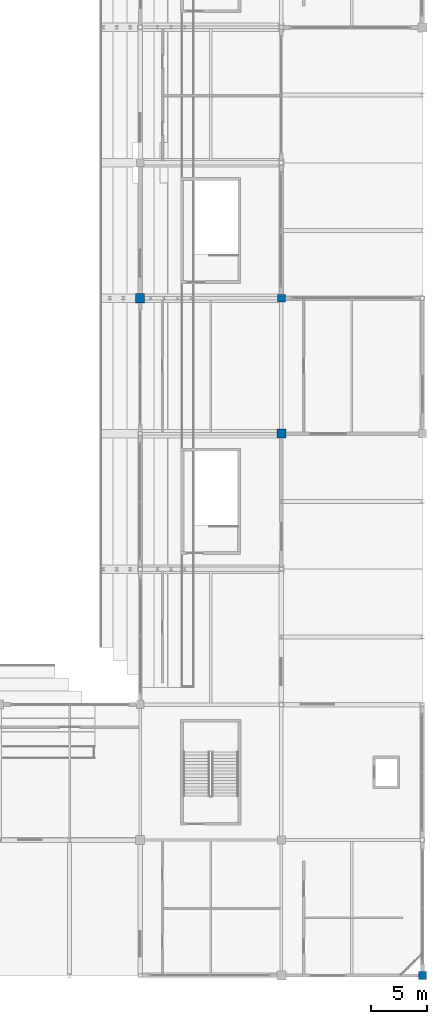
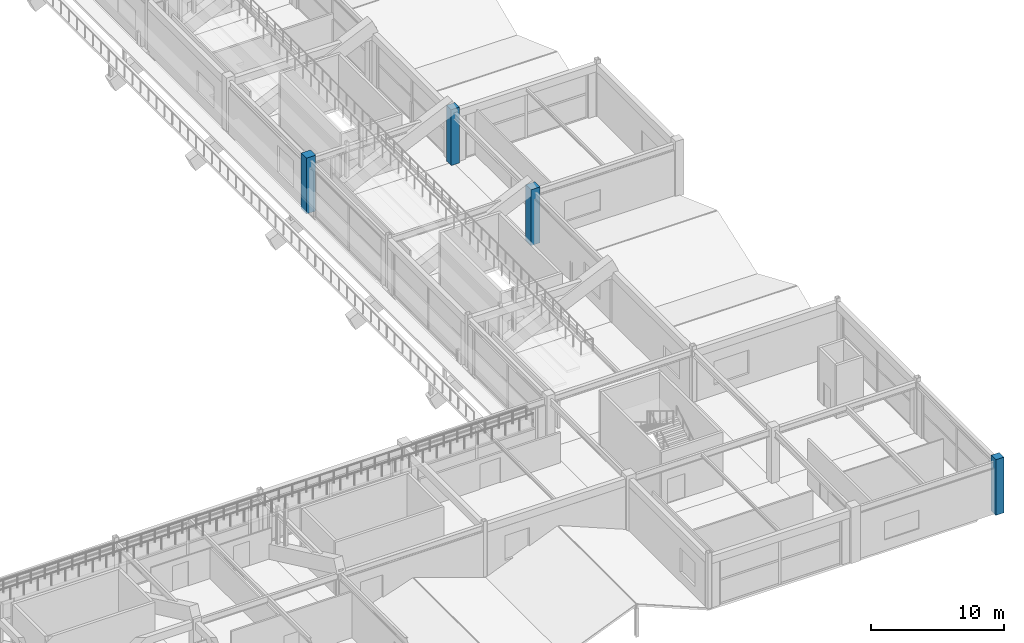
# One storey, part 13 of 128: 4 columns.
"""IFC4 building model written with IfcOpenShell, lengths in metres."""

import ifcopenshell
import ifcopenshell.guid

model = None  # the IFC model being written
_history = None  # IfcOwnerHistory: only IFC2X3 demands one
_inside = {}  # id of a spatial element -> (the spatial element, [elements in it])
_under = {}  # id of a project, library or spatial element -> (it, [spatial elements below it])
_declared = {}  # id of a project -> (the project, [libraries it declares])
_typed = {}  # id of a type object -> (the type object, [elements of that type])
_made_of = {}  # id of a material, layer set ... -> (it, [elements and type objects made of it])


def new_model(schema):
    """Start an empty IFC model of exactly this schema.

    Asked for "IFC4X3", IfcOpenShell would pick the latest addendum, in which some entities
    have other attributes; the version numbers below select the first issue.
    IFC2X3 requires an IfcOwnerHistory on every rooted entity: one is made here for all.
    """
    global model, _history
    if schema == "IFC4X3":
        model = ifcopenshell.file(schema_version=(4, 3, 0, 0))
    else:
        model = ifcopenshell.file(schema=schema)
    _inside.clear()
    _under.clear()
    _declared.clear()
    _typed.clear()
    _made_of.clear()
    _history = None
    if model.schema == "IFC2X3":
        org = make("IfcOrganization", Name="unknown")
        user = make(
            "IfcPersonAndOrganization",
            ThePerson=make("IfcPerson", FamilyName="unknown"),
            TheOrganization=org,
        )
        app = make(
            "IfcApplication",
            ApplicationDeveloper=org,
            Version="unknown",
            ApplicationFullName="unknown",
            ApplicationIdentifier="unknown",
        )
        _history = make(
            "IfcOwnerHistory",
            OwningUser=user,
            OwningApplication=app,
            ChangeAction="ADDED",
            CreationDate=0,
        )
    return model


def make(cls, **values):
    """One entity of the class cls with the attributes given. An attribute that is None is left unset."""
    return model.create_entity(
        cls, **{name: value for name, value in values.items() if value is not None}
    )


def rooted(cls, **values):
    """An entity with a GlobalId (a new one), such as an element, a storey or a relation."""
    return make(cls, GlobalId=ifcopenshell.guid.new(), OwnerHistory=_history, **values)


def si_unit(unit_type, name, prefix=None):
    """IfcSIUnit, for example si_unit("LENGTHUNIT", "METRE", prefix="MILLI")."""
    return make("IfcSIUnit", UnitType=unit_type, Prefix=prefix, Name=name)


def assignment(units):
    """IfcUnitAssignment: the units of a project."""
    return None if units is None else make("IfcUnitAssignment", Units=units)


def point(xyz):
    """IfcCartesianPoint."""
    return None if xyz is None else make("IfcCartesianPoint", Coordinates=xyz)


def direction(xyz):
    """IfcDirection."""
    return None if xyz is None else make("IfcDirection", DirectionRatios=xyz)


def frame(location, z_axis=None, x_axis=None):
    """IfcAxis2Placement3D, a coordinate frame: its origin and axes. An axis left out is left unset."""
    return make(
        "IfcAxis2Placement3D",
        Location=point(location),
        Axis=direction(z_axis),
        RefDirection=direction(x_axis),
    )


def frame_2d(location, x_axis=None):
    """IfcAxis2Placement2D, a coordinate frame in the plane: its origin and x axis."""
    return make(
        "IfcAxis2Placement2D", Location=point(location), RefDirection=direction(x_axis)
    )


def origin():
    """The frame at (0, 0, 0) with its axes left unset."""
    return frame((0.0, 0.0, 0.0))


def origin_2d():
    """The frame at (0, 0) in the plane with its x axis left unset."""
    return frame_2d((0.0, 0.0))


def place(relative_to, where):
    """IfcLocalPlacement: puts the frame where relative to a parent placement (None: the world)."""
    return make(
        "IfcLocalPlacement", PlacementRelTo=relative_to, RelativePlacement=where
    )


def context(
    kind, dimensions, precision=None, world=None, true_north=None, identifier=None
):
    """IfcGeometricRepresentationContext, for example the 3D "Model" context."""
    return make(
        "IfcGeometricRepresentationContext",
        ContextIdentifier=identifier,
        ContextType=kind,
        CoordinateSpaceDimension=dimensions,
        Precision=precision,
        WorldCoordinateSystem=world,
        TrueNorth=true_north,
    )


def subcontext(parent, identifier, kind, view, scale=None):
    """IfcGeometricRepresentationSubContext, for example "Body" below "Model"."""
    return make(
        "IfcGeometricRepresentationSubContext",
        ContextIdentifier=identifier,
        ContextType=kind,
        ParentContext=parent,
        TargetScale=scale,
        TargetView=view,
    )


def project(units=None, contexts=None):
    """IfcProject with its units and contexts."""
    return rooted(
        "IfcProject",
        Name="project",
        RepresentationContexts=contexts,
        UnitsInContext=assignment(units),
    )


def spatial(cls, under=None, at=None, **own):
    """A site, building, storey or space (cls), placed at a placement, below another one or the project."""
    s = rooted(cls, ObjectPlacement=at, **own)
    if under is not None:
        _under.setdefault(under.id(), (under, []))[1].append(s)
    return s


def profile(cls, at=None, kind="AREA", **sizes):
    """A parametric profile (cls). Its sizes go by their IFC names, for example OverallWidth=200.0."""
    return make(cls, ProfileType=kind, Position=at, **sizes)


def rectangle(**sizes):
    """IfcRectangleProfileDef."""
    return profile("IfcRectangleProfileDef", **sizes)


def extrude(swept, where, along, depth):
    """IfcExtrudedAreaSolid: the profile swept, set in the frame where, extruded along a direction by depth."""
    return make(
        "IfcExtrudedAreaSolid",
        SweptArea=swept,
        Position=where,
        ExtrudedDirection=direction(along),
        Depth=depth,
    )


def shape(context_of_items, identifier, shape_type, items):
    """IfcShapeRepresentation: the items that make up one representation, for example the "Body"."""
    return make(
        "IfcShapeRepresentation",
        ContextOfItems=context_of_items,
        RepresentationIdentifier=identifier,
        RepresentationType=shape_type,
        Items=items,
    )


def material(Name=None, Category=None):
    """IfcMaterial."""
    return make("IfcMaterial", Name=Name, Category=Category)


def material_profile(
    of_material, cross_section, Name=None, Category=None, Priority=None
):
    """IfcMaterialProfile: a cross section and its material."""
    return make(
        "IfcMaterialProfile",
        Name=Name,
        Material=of_material,
        Profile=cross_section,
        Priority=Priority,
        Category=Category,
    )


def profile_set(profiles, Name=None, composite=None):
    """IfcMaterialProfileSet."""
    return make(
        "IfcMaterialProfileSet",
        Name=Name,
        MaterialProfiles=profiles,
        CompositeProfile=composite,
    )


def made_of(thing, what):
    """Note that an element or type object is made of a material, layer set ...; save() writes the relation."""
    if what is not None:
        _made_of.setdefault(what.id(), (what, []))[1].append(thing)
    return thing


def type_object(cls, material=None, **own):
    """A type object (cls), such as IfcWallType, which elements share."""
    return made_of(rooted(cls, **own), material)


def element(
    cls,
    number,
    at=None,
    inside=None,
    cuts=None,
    type_object=None,
    material=None,
    context=None,
    identifier="Body",
    shape_type=None,
    held_by="IfcProductDefinitionShape",
    body=None,
    shapes=None,
    **own,
):
    """One element of the class cls, such as IfcWall. Its Tag is "e" and its number.

    at: its placement. inside: the storey or other place that contains it. cuts: it is an
    opening in that element (IfcRelVoidsElement). A single representation is given by context,
    identifier, shape_type and body (its items); several are given by shapes. held_by: the class
    of the entity that holds the representations. save() writes the other relations.
    """
    e = rooted(cls, Tag="e%d" % number, ObjectPlacement=at, **own)
    if body is not None:
        shapes = [shape(context, identifier, shape_type, body)]
    if shapes is not None:
        e.Representation = make(held_by, Representations=shapes)
    if inside is not None:
        _inside.setdefault(inside.id(), (inside, []))[1].append(e)
    if cuts is not None:
        rooted(
            "IfcRelVoidsElement", RelatingBuildingElement=cuts, RelatedOpeningElement=e
        )
    if type_object is not None:
        _typed.setdefault(type_object.id(), (type_object, []))[1].append(e)
    return made_of(e, material)


def aggregate(whole, parts):
    """IfcRelAggregates: a whole, such as a stair, and the parts it consists of."""
    return rooted("IfcRelAggregates", RelatingObject=whole, RelatedObjects=parts)


def save(model, path):
    """Write the relations noted so far, then the file.

    IfcRelAggregates (storeys below a building ...), IfcRelContainedInSpatialStructure (elements
    in a storey), IfcRelDefinesByType, IfcRelAssociatesMaterial and IfcRelDeclares: one each for
    every whole, place, type object, material and project.
    """
    for whole, parts in _under.values():
        aggregate(whole, parts)
    for where, things in _inside.values():
        rooted(
            "IfcRelContainedInSpatialStructure",
            RelatedElements=things,
            RelatingStructure=where,
        )
    for kind, things in _typed.values():
        rooted("IfcRelDefinesByType", RelatedObjects=things, RelatingType=kind)
    for what, things in _made_of.values():
        rooted("IfcRelAssociatesMaterial", RelatedObjects=things, RelatingMaterial=what)
    for by, libraries in _declared.values():
        rooted("IfcRelDeclares", RelatingContext=by, RelatedDefinitions=libraries)
    model.write(path)


model = new_model("IFC4")

# Units and contexts
model_context = context("Model", 3, precision=1e-05, world=origin(), true_north=direction((0.0, 1.0)))
body_context = subcontext(model_context, "Body", "Model", "MODEL_VIEW")
ifc_project = project(units=[si_unit("LENGTHUNIT", "METRE"), si_unit("AREAUNIT", "SQUARE_METRE"), si_unit("VOLUMEUNIT", "CUBIC_METRE"), si_unit("PLANEANGLEUNIT", "RADIAN"), si_unit("MASSUNIT", "GRAM", prefix="KILO")], contexts=[model_context])

# Site, building, storey
site_placement = place(None, origin())
site = spatial("IfcSite", under=ifc_project, at=site_placement, CompositionType="ELEMENT")
building_placement = place(site_placement, origin())
building = spatial("IfcBuilding", under=site, at=building_placement, Name="Kazenohara Klinker Stadium", CompositionType="ELEMENT")
storey_placement = place(building_placement, frame((0.0, 0.0, 15.300048828125)))
storey = spatial("IfcBuildingStorey", under=building, at=storey_placement, Name="L03", CompositionType="ELEMENT", Elevation=15.300048828125)

# Columns
ifc_material = material(Name="Concrete C40/50", Category="concrete")
ifc_material_profile_1 = material_profile(ifc_material, rectangle(XDim=0.800048828125, YDim=0.800048828125, at=origin_2d()), Name="RC-COL-800x800")
ifc_profile_set_1 = profile_set([ifc_material_profile_1], Name="Concrete C40/50")
column_type_1 = type_object("IfcColumnType", Name="COL-RC05", PredefinedType="COLUMN", material=ifc_profile_set_1)
for number, where, z_axis, x_axis, name in (
    (1, (175.0, 72.0, 0.0), (0.0, 0.0, 1.0), (1.0, 0.0, 0.0), "Column C05 L03 15/G"),
    (2, (187.5, 60.0, 0.0), (0.0, 0.0, 1.0), (1.0, 0.0, 0.0), "Column C05 L03 16/F"),
):
    element("IfcColumn", number, at=place(storey_placement, frame(where, z_axis=z_axis, x_axis=x_axis)), inside=storey, type_object=column_type_1, Name=name, PredefinedType="COLUMN", context=body_context, shape_type="SweptSolid", body=[
        extrude(rectangle(XDim=0.800048828125, YDim=0.800048828125, at=origin_2d()), origin(), (0.0, 0.0, 1.0), 5.099853515625),
    ])
ifc_material_profile_2 = material_profile(ifc_material, rectangle(XDim=0.699951171875, YDim=0.699951171875, at=origin_2d()), Name="RC-COL-700x700")
ifc_profile_set_2 = profile_set([ifc_material_profile_2], Name="Concrete C40/50")
column_type_2 = type_object("IfcColumnType", Name="COL-RC06", PredefinedType="COLUMN", material=ifc_profile_set_2)
for number, where, z_axis, x_axis, name in (
    (3, (187.5, 72.0, 0.0), (0.0, 0.0, 1.0), (1.0, 0.0, 0.0), "Column C06 L03 16/G"),
    (4, (200.0, 12.0, 0.0), (0.0, 0.0, 1.0), (1.0, 0.0, 0.0), "Column C06 L03 17/B"),
):
    element("IfcColumn", number, at=place(storey_placement, frame(where, z_axis=z_axis, x_axis=x_axis)), inside=storey, type_object=column_type_2, Name=name, PredefinedType="COLUMN", context=body_context, shape_type="SweptSolid", body=[
        extrude(rectangle(XDim=0.699951171875, YDim=0.699951171875, at=origin_2d()), origin(), (0.0, 0.0, 1.0), 5.099853515625),
    ])

save(model, "model.ifc")
